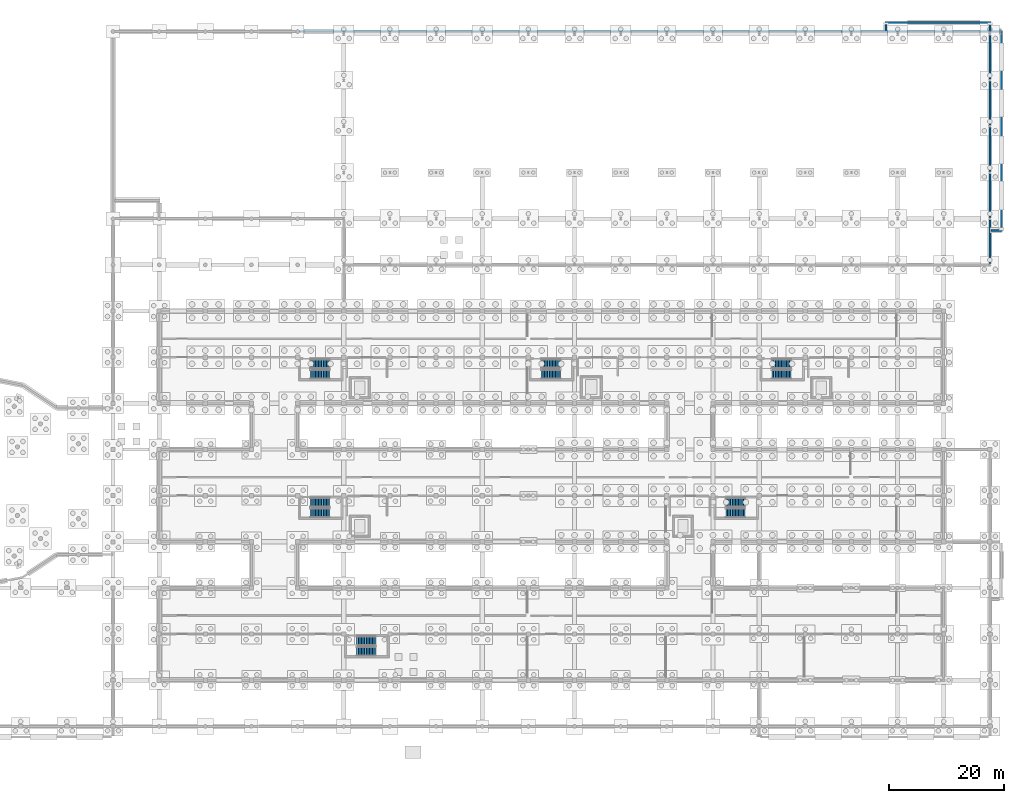
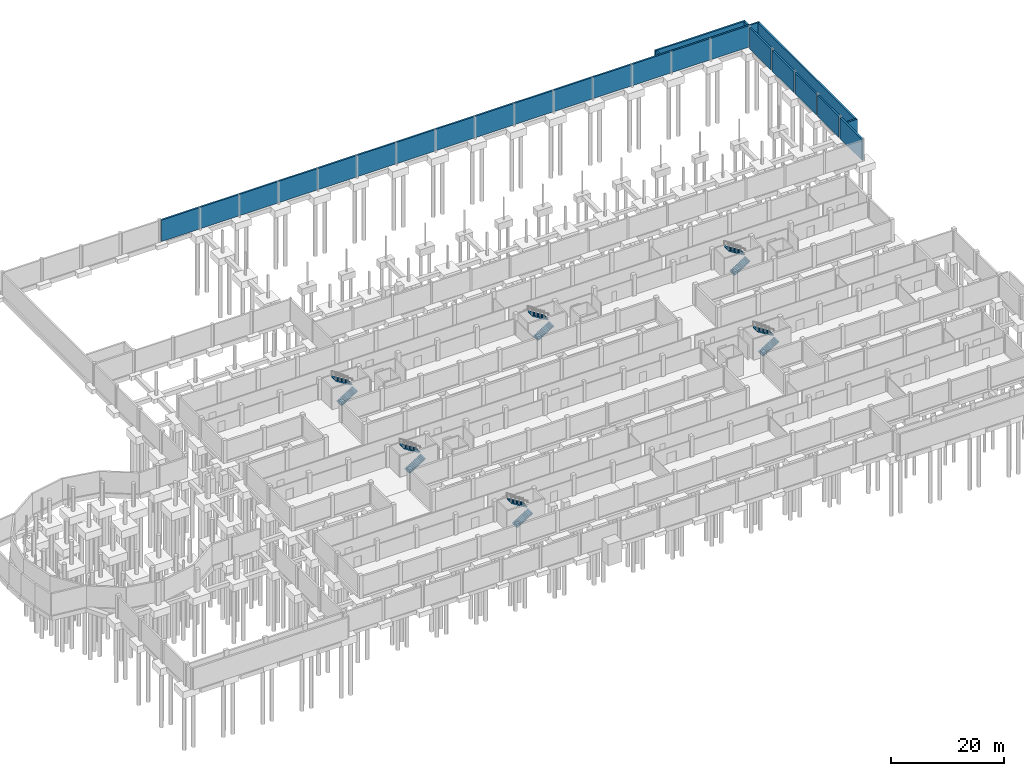
# One storey, part 46 of 51: 12 stair flights, 11 walls, 6 elements without a shape of their own.
"""IFC4 building model written with IfcOpenShell, lengths in metres."""

from ifc_helpers import new_model, si_unit, direction, frame, frame_2d, origin, place, context, subcontext, project, spatial, polyline, rectangle, outline, extrude, material, layer, layer_set, type_object, element, aggregate, save


model = new_model("IFC4")

# Units and contexts
model_context = context("Model", 3, precision=1e-05, world=origin(), true_north=direction((0.0, 1.0)))
body_context = subcontext(model_context, "Body", "Model", "MODEL_VIEW")
ifc_project = project(units=[si_unit("LENGTHUNIT", "METRE"), si_unit("AREAUNIT", "SQUARE_METRE"), si_unit("VOLUMEUNIT", "CUBIC_METRE"), si_unit("PLANEANGLEUNIT", "RADIAN"), si_unit("MASSUNIT", "GRAM", prefix="KILO")], contexts=[model_context])

# Site, building, storey
site_placement = place(None, origin())
site = spatial("IfcSite", under=ifc_project, at=site_placement, CompositionType="ELEMENT")
building_placement = place(site_placement, origin())
building = spatial("IfcBuilding", under=site, at=building_placement, Name="Jelvoka-Kovrelna Polytechnic", CompositionType="ELEMENT")
storey_placement = place(building_placement, frame((0.0, 0.0, -4.5)))
storey = spatial("IfcBuildingStorey", under=building, at=storey_placement, Name="B01", CompositionType="ELEMENT", Elevation=-4.5)

# Walls
ifc_material_1 = material(Name="Concrete C35/45", Category="concrete")
ifc_layer = layer(ifc_material_1, 0.35009765625)
ifc_layer_set = layer_set([ifc_layer], Name="Concrete C35/45")
wall_type = type_object("IfcWallType", Name="Wall_Retaining_350", PredefinedType="USERDEFINED", material=ifc_layer_set)
wall_1_placement = place(storey_placement, frame((200.0, 80.219970703125, -0.405029296875), z_axis=(0.0, 0.0, 1.0), x_axis=(0.0, 1.0, 0.0)))
element("IfcWall", 1, at=wall_1_placement, inside=storey, type_object=wall_type, Name="B01 exterior wall 0215", ObjectType="RETAININGWALL", PredefinedType="USERDEFINED", context=body_context, shape_type="SweptSolid", body=[
    extrude(rectangle(XDim=7.59033203125, YDim=0.35009765625, at=frame_2d((3.795166015625, 0.0))), origin(), (0.0, 0.0, 1.0), 4.4951171875),
])
for number, where, z_axis, x_axis, name in (
    (2, (200.0, 88.189697265625, -0.405029296875), (0.0, 0.0, 1.0), (0.0, 1.0, 0.0), "B01 exterior wall 0216"),
    (3, (200.0, 96.189697265625, -0.405029296875), (0.0, 0.0, 1.0), (0.0, 1.0, 0.0), "B01 exterior wall 0217"),
    (4, (200.0, 104.189697265625, -0.405029296875), (0.0, 0.0, 1.0), (0.0, 1.0, 0.0), "B01 exterior wall 0218"),
    (5, (200.0, 112.189697265625, -0.405029296875), (0.0, 0.0, 1.0), (0.0, 1.0, 0.0), "B01 exterior wall 0219"),
):
    element("IfcWall", number, at=place(storey_placement, frame(where, z_axis=z_axis, x_axis=x_axis)), inside=storey, type_object=wall_type, Name=name, ObjectType="RETAININGWALL", PredefinedType="USERDEFINED", context=body_context, shape_type="SweptSolid", body=[
        extrude(rectangle(XDim=7.62060546875, YDim=0.35009765625, at=frame_2d((3.810302734375, 0.0))), origin(), (0.0, 0.0, 1.0), 4.4951171875),
    ])
wall_2_placement = place(storey_placement, frame((80.3369140625, 120.449951171875, -0.405029296875), z_axis=(0.0, 0.0, 1.0), x_axis=(1.0, 0.0, 0.0)))
element("IfcWall", 6, at=wall_2_placement, inside=storey, type_object=wall_type, Name="B01 exterior wall 0224", ObjectType="RETAININGWALL", PredefinedType="USERDEFINED", context=body_context, shape_type="SweptSolid", body=[
    extrude(rectangle(XDim=121.838134765625, YDim=0.35009765625, at=frame_2d((60.9189453125, 0.0))), origin(), (0.0, 0.0, 1.0), 4.6201171875),
])
wall_3_placement = place(storey_placement, frame((202.0, 86.175048828125, -0.405029296875), z_axis=(0.0, 0.0, 1.0), x_axis=(0.0, 1.0, 0.0)))
element("IfcWall", 7, at=wall_3_placement, inside=storey, type_object=wall_type, Name="B01 exterior wall 0225", ObjectType="RETAININGWALL", PredefinedType="USERDEFINED", context=body_context, shape_type="SweptSolid", body=[
    extrude(rectangle(XDim=34.099853515625, YDim=0.35009765625, at=frame_2d((17.0498046875, 0.0))), origin(), (0.0, 0.0, 1.0), 4.6201171875),
])
wall_4_placement = place(storey_placement, frame((200.179931640625, 86.0, -0.405029296875), z_axis=(0.0, 0.0, 1.0), x_axis=(1.0, 0.0, 0.0)))
element("IfcWall", 8, at=wall_4_placement, inside=storey, type_object=wall_type, Name="B01 exterior wall 0226", ObjectType="RETAININGWALL", PredefinedType="USERDEFINED", context=body_context, shape_type="SweptSolid", body=[
    extrude(rectangle(XDim=1.9951171875, YDim=0.35009765625, at=frame_2d((0.99755859375, 0.0))), origin(), (0.0, 0.0, 1.0), 4.6201171875),
])
wall_5_placement = place(storey_placement, frame((181.824951171875, 122.0, -0.405029296875), z_axis=(0.0, 0.0, 1.0), x_axis=(1.0, 0.0, 0.0)))
element("IfcWall", 9, at=wall_5_placement, inside=storey, type_object=wall_type, Name="B01 exterior wall 0227", ObjectType="RETAININGWALL", PredefinedType="USERDEFINED", context=body_context, shape_type="SweptSolid", body=[
    extrude(rectangle(XDim=18.35009765625, YDim=0.35009765625, at=frame_2d((9.175048828125, 0.0))), origin(), (0.0, 0.0, 1.0), 4.6201171875),
])
for number, where, z_axis, x_axis, name in (
    (10, (182.0, 120.625, -0.405029296875), (0.0, 0.0, 1.0), (0.0, 1.0, 0.0), "B01 exterior wall 0228"),
    (11, (200.0, 120.625, -0.405029296875), (0.0, 0.0, 1.0), (0.0, 1.0, 0.0), "B01 exterior wall 0229"),
):
    element("IfcWall", number, at=place(storey_placement, frame(where, z_axis=z_axis, x_axis=x_axis)), inside=storey, type_object=wall_type, Name=name, ObjectType="RETAININGWALL", PredefinedType="USERDEFINED", context=body_context, shape_type="SweptSolid", body=[
        extrude(rectangle(XDim=1.199951171875, YDim=0.35009765625, at=frame_2d((0.60009765625, 0.0))), origin(), (0.0, 0.0, 1.0), 4.6201171875),
    ])

# Stair, stair flights
ifc_material_2 = material(Name="Concrete C35/45", Category="concrete")
stair_type_1 = type_object("IfcStairType", Name="Stair_Dogleg_1620", PredefinedType="TWO_STRAIGHT_RUN_STAIR", material=ifc_material_2)
stair_1_placement = place(storey_placement, origin())
stair_1 = element("IfcStair", 12, at=stair_1_placement, inside=storey, type_object=stair_type_1, Name="B01 ST06", PredefinedType="TWO_STRAIGHT_RUN_STAIR")
ifc_material_3 = material(Name="Concrete C35/45", Category="concrete")
stair_flight_type = type_object("IfcStairFlightType", Name="Flight_RC_175", PredefinedType="STRAIGHT", material=ifc_material_3)
stair_flight_1_placement = place(storey_placement, frame((90.25, 13.010009765625, 0.0), z_axis=(0.0, 0.0, 1.0), x_axis=(1.0, 0.0, 0.0)))
stair_flight_1 = element("IfcStairFlight", 13, at=stair_flight_1_placement, type_object=stair_flight_type, Name="ST06 flight 1", NumberOfRisers=13, NumberOfTreads=12, PredefinedType="STRAIGHT", RiserHeight=0.173076923, TreadLength=0.275, context=body_context, shape_type="SweptSolid", body=[
    extrude(outline(polyline([(0.0, 0.0), (0.0, 0.173095703125), (0.27490234375, 0.173095703125), (0.27490234375, 0.34619140625), (0.550048828125, 0.34619140625), (0.550048828125, 0.519287109375), (0.824951171875, 0.519287109375), (0.824951171875, 0.6923828125), (1.10009765625, 0.6923828125), (1.10009765625, 0.865478515625), (1.375, 0.865478515625), (1.375, 1.03857421875), (1.64990234375, 1.03857421875), (1.64990234375, 1.21142578125), (1.925048828125, 1.21142578125), (1.925048828125, 1.384521484375), (2.199951171875, 1.384521484375), (2.199951171875, 1.5576171875), (2.47509765625, 1.5576171875), (2.47509765625, 1.730712890625), (2.75, 1.730712890625), (2.75, 1.90380859375), (3.02490234375, 1.90380859375), (3.02490234375, 2.076904296875), (3.300048828125, 2.076904296875), (3.300048828125, 2.25), (3.300048828125, 1.8642578125), (0.337890625, 0.0), (0.0, 0.0)])), frame((0.0, 0.81005859375, 0.0), z_axis=(0.0, -1.0, 0.0), x_axis=(1.0, 0.0, 0.0)), (0.0, 0.0, 1.0), 1.6201171875),
])
stair_flight_2_placement = place(storey_placement, frame((93.550048828125, 14.830078125, 2.25), z_axis=(0.0, 0.0, 1.0), x_axis=(-1.0, 0.0, 0.0)))
stair_flight_2 = element("IfcStairFlight", 14, at=stair_flight_2_placement, type_object=stair_flight_type, Name="ST06 flight 2", NumberOfRisers=13, NumberOfTreads=12, PredefinedType="STRAIGHT", RiserHeight=0.173076923, TreadLength=0.275, context=body_context, shape_type="SweptSolid", body=[
    extrude(outline(polyline([(0.0, 0.0), (0.0, 0.173095703125), (0.27490234375, 0.173095703125), (0.27490234375, 0.34619140625), (0.550048828125, 0.34619140625), (0.550048828125, 0.519287109375), (0.824951171875, 0.519287109375), (0.824951171875, 0.6923828125), (1.10009765625, 0.6923828125), (1.10009765625, 0.865478515625), (1.375, 0.865478515625), (1.375, 1.03857421875), (1.64990234375, 1.03857421875), (1.64990234375, 1.21142578125), (1.925048828125, 1.21142578125), (1.925048828125, 1.384521484375), (2.199951171875, 1.384521484375), (2.199951171875, 1.5576171875), (2.47509765625, 1.5576171875), (2.47509765625, 1.730712890625), (2.75, 1.730712890625), (2.75, 1.90380859375), (3.02490234375, 1.90380859375), (3.02490234375, 2.076904296875), (3.300048828125, 2.076904296875), (3.300048828125, 2.25), (3.300048828125, 1.8642578125), (0.337890625, 0.0), (0.0, 0.0)])), frame((0.0, 0.81005859375, 0.0), z_axis=(0.0, -1.0, 0.0), x_axis=(1.0, 0.0, 0.0)), (0.0, 0.0, 1.0), 1.6201171875),
])
aggregate(stair_1, [stair_flight_1, stair_flight_2])

stair_2_placement = place(storey_placement, origin())
stair_2 = element("IfcStair", 15, at=stair_2_placement, inside=storey, type_object=stair_type_1, Name="B01 ST07", PredefinedType="TWO_STRAIGHT_RUN_STAIR")
stair_flight_3_placement = place(storey_placement, frame((82.25, 37.010009765625, 0.0), z_axis=(0.0, 0.0, 1.0), x_axis=(1.0, 0.0, 0.0)))
stair_flight_3 = element("IfcStairFlight", 16, at=stair_flight_3_placement, type_object=stair_flight_type, Name="ST07 flight 1", NumberOfRisers=13, NumberOfTreads=12, PredefinedType="STRAIGHT", RiserHeight=0.173076923, TreadLength=0.275, context=body_context, shape_type="SweptSolid", body=[
    extrude(outline(polyline([(0.0, 0.0), (0.0, 0.173095703125), (0.27490234375, 0.173095703125), (0.27490234375, 0.34619140625), (0.550048828125, 0.34619140625), (0.550048828125, 0.519287109375), (0.824951171875, 0.519287109375), (0.824951171875, 0.6923828125), (1.10009765625, 0.6923828125), (1.10009765625, 0.865478515625), (1.375, 0.865478515625), (1.375, 1.03857421875), (1.64990234375, 1.03857421875), (1.64990234375, 1.21142578125), (1.925048828125, 1.21142578125), (1.925048828125, 1.384521484375), (2.199951171875, 1.384521484375), (2.199951171875, 1.5576171875), (2.47509765625, 1.5576171875), (2.47509765625, 1.730712890625), (2.75, 1.730712890625), (2.75, 1.90380859375), (3.02490234375, 1.90380859375), (3.02490234375, 2.076904296875), (3.300048828125, 2.076904296875), (3.300048828125, 2.25), (3.300048828125, 1.8642578125), (0.337890625, 0.0), (0.0, 0.0)])), frame((0.0, 0.81005859375, 0.0), z_axis=(0.0, -1.0, 0.0), x_axis=(1.0, 0.0, 0.0)), (0.0, 0.0, 1.0), 1.6201171875),
])
stair_flight_4_placement = place(storey_placement, frame((85.550048828125, 38.830078125, 2.25), z_axis=(0.0, 0.0, 1.0), x_axis=(-1.0, 0.0, 0.0)))
stair_flight_4 = element("IfcStairFlight", 17, at=stair_flight_4_placement, type_object=stair_flight_type, Name="ST07 flight 2", NumberOfRisers=13, NumberOfTreads=12, PredefinedType="STRAIGHT", RiserHeight=0.173076923, TreadLength=0.275, context=body_context, shape_type="SweptSolid", body=[
    extrude(outline(polyline([(0.0, 0.0), (0.0, 0.173095703125), (0.27490234375, 0.173095703125), (0.27490234375, 0.34619140625), (0.550048828125, 0.34619140625), (0.550048828125, 0.519287109375), (0.824951171875, 0.519287109375), (0.824951171875, 0.6923828125), (1.10009765625, 0.6923828125), (1.10009765625, 0.865478515625), (1.375, 0.865478515625), (1.375, 1.03857421875), (1.64990234375, 1.03857421875), (1.64990234375, 1.21142578125), (1.925048828125, 1.21142578125), (1.925048828125, 1.384521484375), (2.199951171875, 1.384521484375), (2.199951171875, 1.5576171875), (2.47509765625, 1.5576171875), (2.47509765625, 1.730712890625), (2.75, 1.730712890625), (2.75, 1.90380859375), (3.02490234375, 1.90380859375), (3.02490234375, 2.076904296875), (3.300048828125, 2.076904296875), (3.300048828125, 2.25), (3.300048828125, 1.8642578125), (0.337890625, 0.0), (0.0, 0.0)])), frame((0.0, 0.81005859375, 0.0), z_axis=(0.0, -1.0, 0.0), x_axis=(1.0, 0.0, 0.0)), (0.0, 0.0, 1.0), 1.6201171875),
])
aggregate(stair_2, [stair_flight_3, stair_flight_4])

stair_3_placement = place(storey_placement, origin())
stair_3 = element("IfcStair", 18, at=stair_3_placement, inside=storey, type_object=stair_type_1, Name="B01 ST08", PredefinedType="TWO_STRAIGHT_RUN_STAIR")
stair_flight_5_placement = place(storey_placement, frame((154.25, 37.010009765625, 0.0), z_axis=(0.0, 0.0, 1.0), x_axis=(1.0, 0.0, 0.0)))
stair_flight_5 = element("IfcStairFlight", 19, at=stair_flight_5_placement, type_object=stair_flight_type, Name="ST08 flight 1", NumberOfRisers=13, NumberOfTreads=12, PredefinedType="STRAIGHT", RiserHeight=0.173076923, TreadLength=0.275, context=body_context, shape_type="SweptSolid", body=[
    extrude(outline(polyline([(0.0, 0.0), (0.0, 0.173095703125), (0.27490234375, 0.173095703125), (0.27490234375, 0.34619140625), (0.550048828125, 0.34619140625), (0.550048828125, 0.519287109375), (0.824951171875, 0.519287109375), (0.824951171875, 0.6923828125), (1.10009765625, 0.6923828125), (1.10009765625, 0.865478515625), (1.375, 0.865478515625), (1.375, 1.03857421875), (1.64990234375, 1.03857421875), (1.64990234375, 1.21142578125), (1.925048828125, 1.21142578125), (1.925048828125, 1.384521484375), (2.199951171875, 1.384521484375), (2.199951171875, 1.5576171875), (2.47509765625, 1.5576171875), (2.47509765625, 1.730712890625), (2.75, 1.730712890625), (2.75, 1.90380859375), (3.02490234375, 1.90380859375), (3.02490234375, 2.076904296875), (3.300048828125, 2.076904296875), (3.300048828125, 2.25), (3.300048828125, 1.8642578125), (0.337890625, 0.0), (0.0, 0.0)])), frame((0.0, 0.81005859375, 0.0), z_axis=(0.0, -1.0, 0.0), x_axis=(1.0, 0.0, 0.0)), (0.0, 0.0, 1.0), 1.6201171875),
])
stair_flight_6_placement = place(storey_placement, frame((157.550048828125, 38.830078125, 2.25), z_axis=(0.0, 0.0, 1.0), x_axis=(-1.0, 0.0, 0.0)))
stair_flight_6 = element("IfcStairFlight", 20, at=stair_flight_6_placement, type_object=stair_flight_type, Name="ST08 flight 2", NumberOfRisers=13, NumberOfTreads=12, PredefinedType="STRAIGHT", RiserHeight=0.173076923, TreadLength=0.275, context=body_context, shape_type="SweptSolid", body=[
    extrude(outline(polyline([(0.0, 0.0), (0.0, 0.173095703125), (0.27490234375, 0.173095703125), (0.27490234375, 0.34619140625), (0.550048828125, 0.34619140625), (0.550048828125, 0.519287109375), (0.824951171875, 0.519287109375), (0.824951171875, 0.6923828125), (1.10009765625, 0.6923828125), (1.10009765625, 0.865478515625), (1.375, 0.865478515625), (1.375, 1.03857421875), (1.64990234375, 1.03857421875), (1.64990234375, 1.21142578125), (1.925048828125, 1.21142578125), (1.925048828125, 1.384521484375), (2.199951171875, 1.384521484375), (2.199951171875, 1.5576171875), (2.47509765625, 1.5576171875), (2.47509765625, 1.730712890625), (2.75, 1.730712890625), (2.75, 1.90380859375), (3.02490234375, 1.90380859375), (3.02490234375, 2.076904296875), (3.300048828125, 2.076904296875), (3.300048828125, 2.25), (3.300048828125, 1.8642578125), (0.337890625, 0.0), (0.0, 0.0)])), frame((0.0, 0.81005859375, 0.0), z_axis=(0.0, -1.0, 0.0), x_axis=(1.0, 0.0, 0.0)), (0.0, 0.0, 1.0), 1.6201171875),
])
aggregate(stair_3, [stair_flight_5, stair_flight_6])

stair_4_placement = place(storey_placement, origin())
stair_4 = element("IfcStair", 21, at=stair_4_placement, inside=storey, type_object=stair_type_1, Name="B01 ST09", PredefinedType="TWO_STRAIGHT_RUN_STAIR")
stair_flight_7_placement = place(storey_placement, frame((82.25, 61.010009765625, 0.0), z_axis=(0.0, 0.0, 1.0), x_axis=(1.0, 0.0, 0.0)))
stair_flight_7 = element("IfcStairFlight", 22, at=stair_flight_7_placement, type_object=stair_flight_type, Name="ST09 flight 1", NumberOfRisers=13, NumberOfTreads=12, PredefinedType="STRAIGHT", RiserHeight=0.173076923, TreadLength=0.275, context=body_context, shape_type="SweptSolid", body=[
    extrude(outline(polyline([(0.0, 0.0), (0.0, 0.173095703125), (0.27490234375, 0.173095703125), (0.27490234375, 0.34619140625), (0.550048828125, 0.34619140625), (0.550048828125, 0.519287109375), (0.824951171875, 0.519287109375), (0.824951171875, 0.6923828125), (1.10009765625, 0.6923828125), (1.10009765625, 0.865478515625), (1.375, 0.865478515625), (1.375, 1.03857421875), (1.64990234375, 1.03857421875), (1.64990234375, 1.21142578125), (1.925048828125, 1.21142578125), (1.925048828125, 1.384521484375), (2.199951171875, 1.384521484375), (2.199951171875, 1.5576171875), (2.47509765625, 1.5576171875), (2.47509765625, 1.730712890625), (2.75, 1.730712890625), (2.75, 1.90380859375), (3.02490234375, 1.90380859375), (3.02490234375, 2.076904296875), (3.300048828125, 2.076904296875), (3.300048828125, 2.25), (3.300048828125, 1.8642578125), (0.337890625, 0.0), (0.0, 0.0)])), frame((0.0, 0.81005859375, 0.0), z_axis=(0.0, -1.0, 0.0), x_axis=(1.0, 0.0, 0.0)), (0.0, 0.0, 1.0), 1.6201171875),
])
stair_flight_8_placement = place(storey_placement, frame((85.550048828125, 62.830078125, 2.25), z_axis=(0.0, 0.0, 1.0), x_axis=(-1.0, 0.0, 0.0)))
stair_flight_8 = element("IfcStairFlight", 23, at=stair_flight_8_placement, type_object=stair_flight_type, Name="ST09 flight 2", NumberOfRisers=13, NumberOfTreads=12, PredefinedType="STRAIGHT", RiserHeight=0.173076923, TreadLength=0.275, context=body_context, shape_type="SweptSolid", body=[
    extrude(outline(polyline([(0.0, 0.0), (0.0, 0.173095703125), (0.27490234375, 0.173095703125), (0.27490234375, 0.34619140625), (0.550048828125, 0.34619140625), (0.550048828125, 0.519287109375), (0.824951171875, 0.519287109375), (0.824951171875, 0.6923828125), (1.10009765625, 0.6923828125), (1.10009765625, 0.865478515625), (1.375, 0.865478515625), (1.375, 1.03857421875), (1.64990234375, 1.03857421875), (1.64990234375, 1.21142578125), (1.925048828125, 1.21142578125), (1.925048828125, 1.384521484375), (2.199951171875, 1.384521484375), (2.199951171875, 1.5576171875), (2.47509765625, 1.5576171875), (2.47509765625, 1.730712890625), (2.75, 1.730712890625), (2.75, 1.90380859375), (3.02490234375, 1.90380859375), (3.02490234375, 2.076904296875), (3.300048828125, 2.076904296875), (3.300048828125, 2.25), (3.300048828125, 1.8642578125), (0.337890625, 0.0), (0.0, 0.0)])), frame((0.0, 0.81005859375, 0.0), z_axis=(0.0, -1.0, 0.0), x_axis=(1.0, 0.0, 0.0)), (0.0, 0.0, 1.0), 1.6201171875),
])
aggregate(stair_4, [stair_flight_7, stair_flight_8])

stair_5_placement = place(storey_placement, origin())
stair_5 = element("IfcStair", 24, at=stair_5_placement, inside=storey, type_object=stair_type_1, Name="B01 ST10", PredefinedType="TWO_STRAIGHT_RUN_STAIR")
stair_flight_9_placement = place(storey_placement, frame((162.25, 61.010009765625, 0.0), z_axis=(0.0, 0.0, 1.0), x_axis=(1.0, 0.0, 0.0)))
stair_flight_9 = element("IfcStairFlight", 25, at=stair_flight_9_placement, type_object=stair_flight_type, Name="ST10 flight 1", NumberOfRisers=13, NumberOfTreads=12, PredefinedType="STRAIGHT", RiserHeight=0.173076923, TreadLength=0.275, context=body_context, shape_type="SweptSolid", body=[
    extrude(outline(polyline([(0.0, 0.0), (0.0, 0.173095703125), (0.27490234375, 0.173095703125), (0.27490234375, 0.34619140625), (0.550048828125, 0.34619140625), (0.550048828125, 0.519287109375), (0.824951171875, 0.519287109375), (0.824951171875, 0.6923828125), (1.10009765625, 0.6923828125), (1.10009765625, 0.865478515625), (1.375, 0.865478515625), (1.375, 1.03857421875), (1.64990234375, 1.03857421875), (1.64990234375, 1.21142578125), (1.925048828125, 1.21142578125), (1.925048828125, 1.384521484375), (2.199951171875, 1.384521484375), (2.199951171875, 1.5576171875), (2.47509765625, 1.5576171875), (2.47509765625, 1.730712890625), (2.75, 1.730712890625), (2.75, 1.90380859375), (3.02490234375, 1.90380859375), (3.02490234375, 2.076904296875), (3.300048828125, 2.076904296875), (3.300048828125, 2.25), (3.300048828125, 1.8642578125), (0.337890625, 0.0), (0.0, 0.0)])), frame((0.0, 0.81005859375, 0.0), z_axis=(0.0, -1.0, 0.0), x_axis=(1.0, 0.0, 0.0)), (0.0, 0.0, 1.0), 1.6201171875),
])
stair_flight_10_placement = place(storey_placement, frame((165.550048828125, 62.830078125, 2.25), z_axis=(0.0, 0.0, 1.0), x_axis=(-1.0, 0.0, 0.0)))
stair_flight_10 = element("IfcStairFlight", 26, at=stair_flight_10_placement, type_object=stair_flight_type, Name="ST10 flight 2", NumberOfRisers=13, NumberOfTreads=12, PredefinedType="STRAIGHT", RiserHeight=0.173076923, TreadLength=0.275, context=body_context, shape_type="SweptSolid", body=[
    extrude(outline(polyline([(0.0, 0.0), (0.0, 0.173095703125), (0.27490234375, 0.173095703125), (0.27490234375, 0.34619140625), (0.550048828125, 0.34619140625), (0.550048828125, 0.519287109375), (0.824951171875, 0.519287109375), (0.824951171875, 0.6923828125), (1.10009765625, 0.6923828125), (1.10009765625, 0.865478515625), (1.375, 0.865478515625), (1.375, 1.03857421875), (1.64990234375, 1.03857421875), (1.64990234375, 1.21142578125), (1.925048828125, 1.21142578125), (1.925048828125, 1.384521484375), (2.199951171875, 1.384521484375), (2.199951171875, 1.5576171875), (2.47509765625, 1.5576171875), (2.47509765625, 1.730712890625), (2.75, 1.730712890625), (2.75, 1.90380859375), (3.02490234375, 1.90380859375), (3.02490234375, 2.076904296875), (3.300048828125, 2.076904296875), (3.300048828125, 2.25), (3.300048828125, 1.8642578125), (0.337890625, 0.0), (0.0, 0.0)])), frame((0.0, 0.81005859375, 0.0), z_axis=(0.0, -1.0, 0.0), x_axis=(1.0, 0.0, 0.0)), (0.0, 0.0, 1.0), 1.6201171875),
])
aggregate(stair_5, [stair_flight_9, stair_flight_10])

ifc_material_4 = material(Name="Concrete C35/45", Category="concrete")
stair_type_2 = type_object("IfcStairType", Name="Stair_Dogleg_1580", PredefinedType="TWO_STRAIGHT_RUN_STAIR", material=ifc_material_4)
stair_6_placement = place(storey_placement, origin())
stair_6 = element("IfcStair", 27, at=stair_6_placement, inside=storey, type_object=stair_type_2, Name="B01 ST11", PredefinedType="TWO_STRAIGHT_RUN_STAIR")
stair_flight_11_placement = place(storey_placement, frame((122.25, 60.989990234375, 0.0), z_axis=(0.0, 0.0, 1.0), x_axis=(1.0, 0.0, 0.0)))
stair_flight_11 = element("IfcStairFlight", 28, at=stair_flight_11_placement, type_object=stair_flight_type, Name="ST11 flight 1", NumberOfRisers=13, NumberOfTreads=12, PredefinedType="STRAIGHT", RiserHeight=0.173076923, TreadLength=0.275, context=body_context, shape_type="SweptSolid", body=[
    extrude(outline(polyline([(0.0, 0.0), (0.0, 0.173095703125), (0.27490234375, 0.173095703125), (0.27490234375, 0.34619140625), (0.550048828125, 0.34619140625), (0.550048828125, 0.519287109375), (0.824951171875, 0.519287109375), (0.824951171875, 0.6923828125), (1.10009765625, 0.6923828125), (1.10009765625, 0.865478515625), (1.375, 0.865478515625), (1.375, 1.03857421875), (1.64990234375, 1.03857421875), (1.64990234375, 1.21142578125), (1.925048828125, 1.21142578125), (1.925048828125, 1.384521484375), (2.199951171875, 1.384521484375), (2.199951171875, 1.5576171875), (2.47509765625, 1.5576171875), (2.47509765625, 1.730712890625), (2.75, 1.730712890625), (2.75, 1.90380859375), (3.02490234375, 1.90380859375), (3.02490234375, 2.076904296875), (3.300048828125, 2.076904296875), (3.300048828125, 2.25), (3.300048828125, 1.8642578125), (0.337890625, 0.0), (0.0, 0.0)])), frame((0.0, 0.7900390625, 0.0), z_axis=(0.0, -1.0, 0.0), x_axis=(1.0, 0.0, 0.0)), (0.0, 0.0, 1.0), 1.580078125),
])
stair_flight_12_placement = place(storey_placement, frame((125.550048828125, 62.85009765625, 2.25), z_axis=(0.0, 0.0, 1.0), x_axis=(-1.0, 0.0, 0.0)))
stair_flight_12 = element("IfcStairFlight", 29, at=stair_flight_12_placement, type_object=stair_flight_type, Name="ST11 flight 2", NumberOfRisers=13, NumberOfTreads=12, PredefinedType="STRAIGHT", RiserHeight=0.173076923, TreadLength=0.275, context=body_context, shape_type="SweptSolid", body=[
    extrude(outline(polyline([(0.0, 0.0), (0.0, 0.173095703125), (0.27490234375, 0.173095703125), (0.27490234375, 0.34619140625), (0.550048828125, 0.34619140625), (0.550048828125, 0.519287109375), (0.824951171875, 0.519287109375), (0.824951171875, 0.6923828125), (1.10009765625, 0.6923828125), (1.10009765625, 0.865478515625), (1.375, 0.865478515625), (1.375, 1.03857421875), (1.64990234375, 1.03857421875), (1.64990234375, 1.21142578125), (1.925048828125, 1.21142578125), (1.925048828125, 1.384521484375), (2.199951171875, 1.384521484375), (2.199951171875, 1.5576171875), (2.47509765625, 1.5576171875), (2.47509765625, 1.730712890625), (2.75, 1.730712890625), (2.75, 1.90380859375), (3.02490234375, 1.90380859375), (3.02490234375, 2.076904296875), (3.300048828125, 2.076904296875), (3.300048828125, 2.25), (3.300048828125, 1.8642578125), (0.337890625, 0.0), (0.0, 0.0)])), frame((0.0, 0.7900390625, 0.0), z_axis=(0.0, -1.0, 0.0), x_axis=(1.0, 0.0, 0.0)), (0.0, 0.0, 1.0), 1.580078125),
])
aggregate(stair_6, [stair_flight_11, stair_flight_12])

save(model, "model.ifc")
